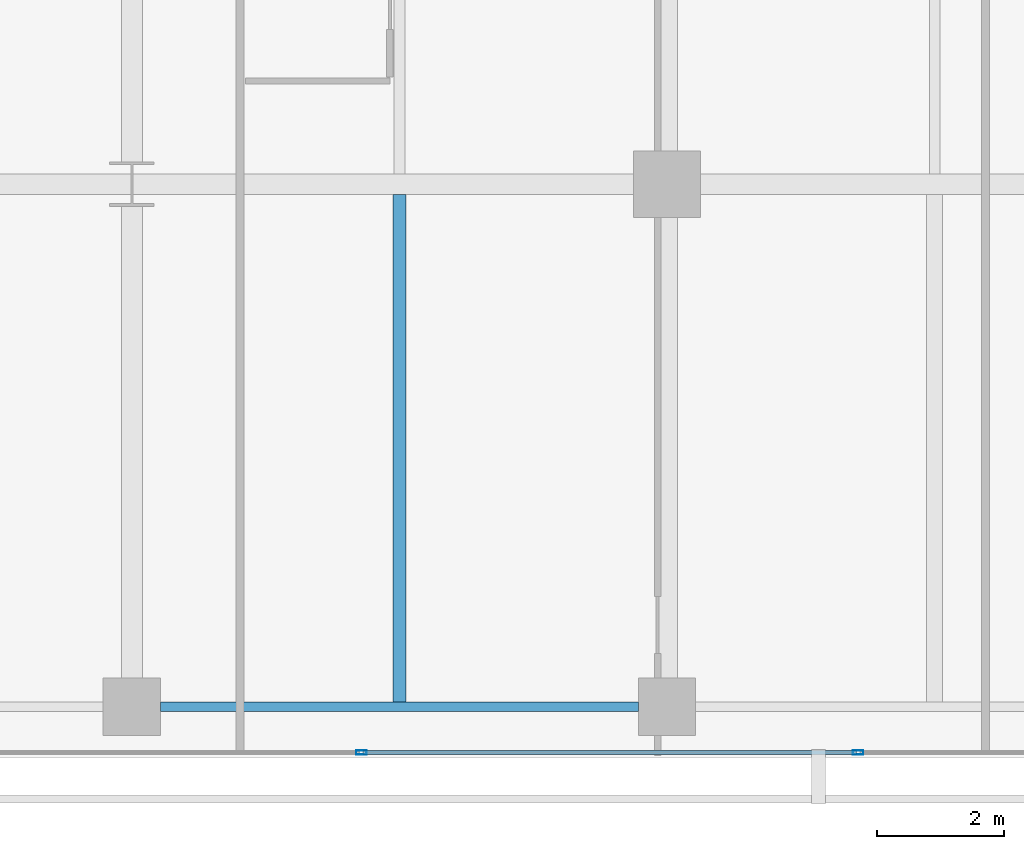
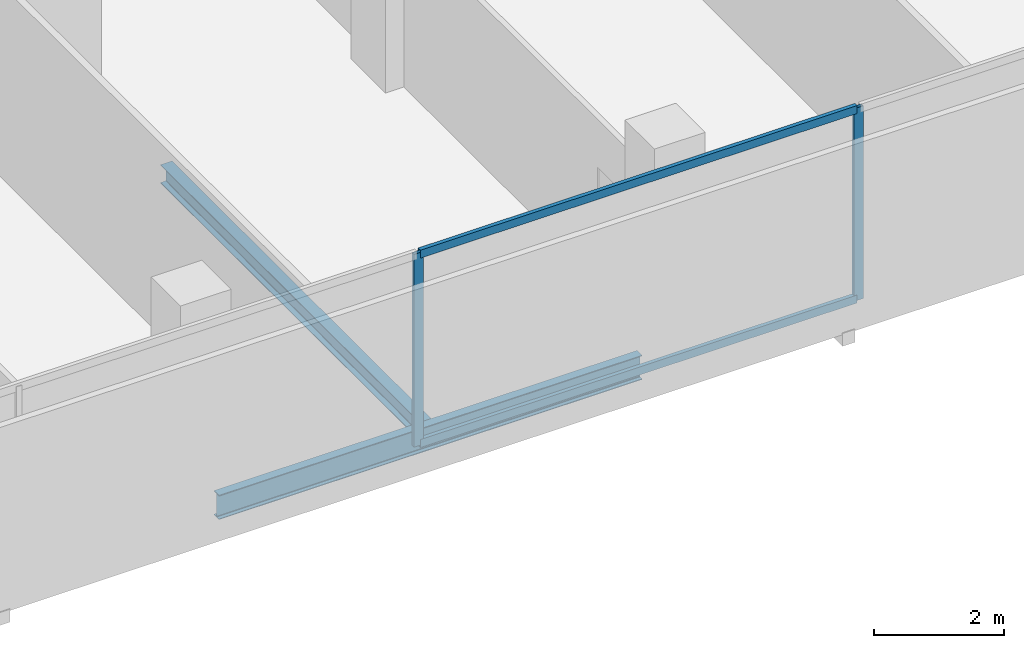
# One storey, part 14 of 40: 4 members, 2 beams, 1 element without a shape of its own.
"""IFC4 building model written with IfcOpenShell, lengths in metres."""

from ifc_helpers import new_model, si_unit, direction, frame, origin, origin_2d, place, context, subcontext, project, spatial, hollow_rectangle, i_section, extrude, material, layer, layer_set, material_profile, profile_set, type_object, element, aggregate, save


model = new_model("IFC4")

# Units and contexts
model_context = context("Model", 3, precision=1e-05, world=origin(), true_north=direction((0.0, 1.0)))
body_context = subcontext(model_context, "Body", "Model", "MODEL_VIEW")
ifc_project = project(units=[si_unit("LENGTHUNIT", "METRE"), si_unit("AREAUNIT", "SQUARE_METRE"), si_unit("VOLUMEUNIT", "CUBIC_METRE"), si_unit("PLANEANGLEUNIT", "RADIAN"), si_unit("MASSUNIT", "GRAM", prefix="KILO")], contexts=[model_context])

# Site, building, storey
site_placement = place(None, origin())
site = spatial("IfcSite", under=ifc_project, at=site_placement, CompositionType="ELEMENT")
building_placement = place(site_placement, origin())
building = spatial("IfcBuilding", under=site, at=building_placement, Name="Maruvema Waterfront Hotel and Observation Tower", CompositionType="ELEMENT")
storey_placement = place(building_placement, frame((0.0, 0.0, 73.14990234375)))
storey = spatial("IfcBuildingStorey", under=building, at=storey_placement, Name="L17", CompositionType="ELEMENT", Elevation=73.14990234375)

# Curtain wall, members
ifc_material_1 = material(Name="Anodised bronze aluminium and solar-control low-E IGU", Category="aluminium")
ifc_layer = layer(ifc_material_1, 0.159912109375, Name="Zone 1 Bronze Inner Thermal Curtain Wall System CW-02")
ifc_layer_set = layer_set([ifc_layer], Name="Anodised bronze aluminium and solar-control low-E IGU")
curtain_wall_type = type_object("IfcCurtainWallType", Name="Zone 1 Bronze Inner Thermal Curtain Wall System CW-02", PredefinedType="USERDEFINED", material=ifc_layer_set)
curtain_wall_placement = place(storey_placement, origin())
curtain_wall = element("IfcCurtainWall", 1, at=curtain_wall_placement, inside=storey, type_object=curtain_wall_type, Name="L17 Curtain Wall CW-L17-S", ObjectType="UNITISED CURTAIN WALL", PredefinedType="USERDEFINED")
ifc_material_2 = material(Name="Anodised architectural bronze aluminium", Category="aluminium")
ifc_material_profile_1 = material_profile(ifc_material_2, hollow_rectangle(XDim=0.070068359375, YDim=0.14990234375, WallThickness=0.00390625, at=origin_2d()), Name="ALU-T70x150")
ifc_profile_set_1 = profile_set([ifc_material_profile_1], Name="Anodised architectural bronze aluminium")
member_type_1 = type_object("IfcMemberType", Name="Curtain Wall Horizontal Transom ALU-T70x150", PredefinedType="USERDEFINED", material=ifc_profile_set_1)
member_1_placement = place(storey_placement, frame((45.6298828125, 0.080078125, 0.030029296875), z_axis=(1.0, 0.0, 0.0), x_axis=(0.0, 1.0, 0.0)))
member_1 = element("IfcMember", 2, at=member_1_placement, type_object=member_type_1, Name="CW-02 transom 5.1", ObjectType="TRANSOM", PredefinedType="USERDEFINED", context=body_context, shape_type="SweptSolid", body=[
    extrude(hollow_rectangle(XDim=0.070068359375, YDim=0.14990234375, WallThickness=0.00390625, at=origin_2d()), origin(), (0.0, 0.0, 1.0), 7.740234375),
])
member_2_placement = place(storey_placement, frame((45.6298828125, 0.080078125, 3.580078125), z_axis=(1.0, 0.0, 0.0), x_axis=(0.0, 1.0, 0.0)))
member_2 = element("IfcMember", 3, at=member_2_placement, type_object=member_type_1, Name="CW-02 transom 5.2", ObjectType="TRANSOM", PredefinedType="USERDEFINED", context=body_context, shape_type="SweptSolid", body=[
    extrude(hollow_rectangle(XDim=0.070068359375, YDim=0.14990234375, WallThickness=0.00390625, at=origin_2d()), origin(), (0.0, 0.0, 1.0), 7.740234375),
])
ifc_material_3 = material(Name="Anodised architectural bronze aluminium", Category="aluminium")
ifc_material_profile_2 = material_profile(ifc_material_3, hollow_rectangle(XDim=0.06494140625, YDim=0.1650390625, WallThickness=0.00390625, at=origin_2d()), Name="ALU-M65x165")
ifc_profile_set_2 = profile_set([ifc_material_profile_2], Name="Anodised architectural bronze aluminium")
member_type_2 = type_object("IfcMemberType", Name="Curtain Wall Primary Mullion ALU-M65x165", PredefinedType="MULLION", material=ifc_profile_set_2)
member_3_placement = place(storey_placement, frame((45.60009765625, 0.080078125, 0.0), z_axis=(0.0, 0.0, 1.0), x_axis=(0.0, 1.0, 0.0)))
member_3 = element("IfcMember", 4, at=member_3_placement, type_object=member_type_2, Name="CW-02 mullion 5", PredefinedType="MULLION", context=body_context, shape_type="SweptSolid", body=[
    extrude(hollow_rectangle(XDim=0.06494140625, YDim=0.1650390625, WallThickness=0.00390625, at=origin_2d()), origin(), (0.0, 0.0, 1.0), 3.610107421875),
])
member_4_placement = place(storey_placement, frame((53.39990234375, 0.080078125, 0.0), z_axis=(0.0, 0.0, 1.0), x_axis=(0.0, 1.0, 0.0)))
member_4 = element("IfcMember", 5, at=member_4_placement, type_object=member_type_2, Name="CW-02 mullion 6", PredefinedType="MULLION", context=body_context, shape_type="SweptSolid", body=[
    extrude(hollow_rectangle(XDim=0.06494140625, YDim=0.1650390625, WallThickness=0.00390625, at=origin_2d()), origin(), (0.0, 0.0, 1.0), 3.610107421875),
])
aggregate(curtain_wall, [member_3, member_4, member_1, member_2])

# Beams
ifc_material_4 = material(Name="Steel ASTM A572 Grade 50", Category="steel")
ifc_material_profile_3 = material_profile(ifc_material_4, i_section(OverallWidth=0.153076171875, OverallDepth=0.455078125, WebThickness=0.008056640625, FlangeThickness=0.01318359375, FilletRadius=0.014892578125, at=origin_2d()), Name="W460x60.0")
ifc_profile_set_3 = profile_set([ifc_material_profile_3], Name="Steel ASTM A572 Grade 50")
beam_type_1 = type_object("IfcBeamType", Name="Perimeter Spandrel Beam W460x60.0", PredefinedType="SPANDREL", material=ifc_profile_set_3)
beam_1_placement = place(storey_placement, frame((42.449951171875, 0.800048828125, -0.46728515625), z_axis=(1.0, 0.0, 0.0), x_axis=(0.0, 1.0, 0.0)))
element("IfcBeam", 6, at=beam_1_placement, inside=storey, type_object=beam_type_1, Name="L17 Floor Girder EW-04", PredefinedType="SPANDREL", context=body_context, shape_type="SweptSolid", body=[
    extrude(i_section(OverallWidth=0.153076171875, OverallDepth=0.455078125, WebThickness=0.008056640625, FlangeThickness=0.01318359375, FilletRadius=0.014892578125, at=origin_2d()), origin(), (0.0, 0.0, 1.0), 7.5),
])
ifc_material_5 = material(Name="Steel ASTM A572 Grade 50", Category="steel")
ifc_material_profile_4 = material_profile(ifc_material_5, i_section(OverallWidth=0.202880859375, OverallDepth=0.346923828125, WebThickness=0.0078125, FlangeThickness=0.013427734375, FilletRadius=0.014892578125, at=origin_2d()), Name="W360x64.0")
ifc_profile_set_4 = profile_set([ifc_material_profile_4], Name="Steel ASTM A572 Grade 50")
beam_type_2 = type_object("IfcBeamType", Name="Secondary Floor Joist W360x64.0", PredefinedType="JOIST", material=ifc_profile_set_4)
beam_2_placement = place(storey_placement, frame((46.199951171875, 0.87646484375, -0.413330078125), z_axis=(0.0, 1.0, 0.0), x_axis=(-1.0, 0.0, 0.0)))
element("IfcBeam", 7, at=beam_2_placement, inside=storey, type_object=beam_type_2, Name="L17 Secondary Floor Joist JS-14", PredefinedType="JOIST", context=body_context, shape_type="SweptSolid", body=[
    extrude(i_section(OverallWidth=0.202880859375, OverallDepth=0.346923828125, WebThickness=0.0078125, FlangeThickness=0.013427734375, FilletRadius=0.014892578125, at=origin_2d()), origin(), (0.0, 0.0, 1.0), 7.9599609375),
])

save(model, "model.ifc")
